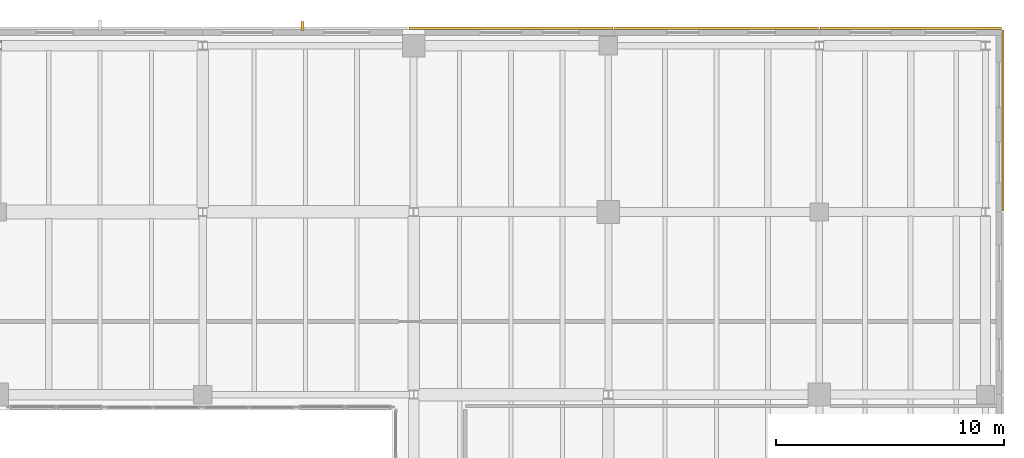
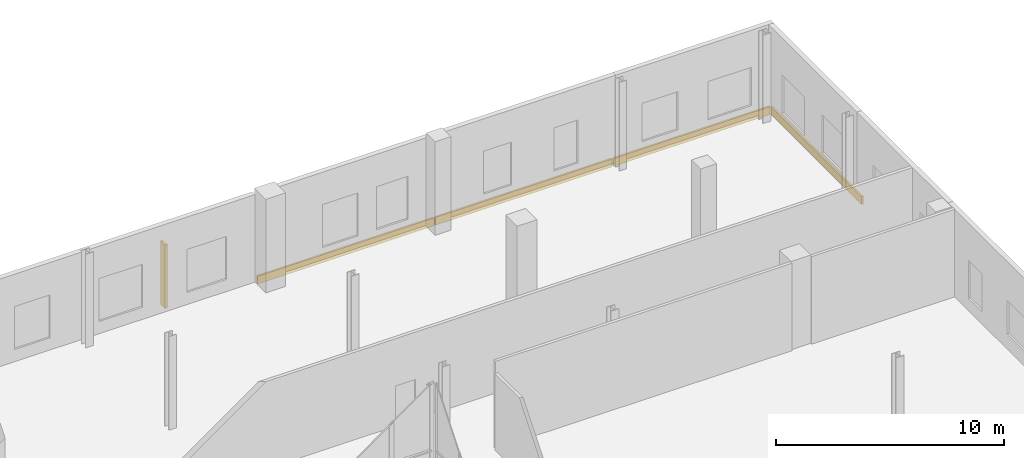
# One storey, part 81 of 81: 4 coverings, 1 shading device.
"""IFC4 building model written with IfcOpenShell, lengths in metres."""

from ifc_helpers import new_model, si_unit, direction, frame, origin, origin_2d, place, context, subcontext, project, spatial, rectangle, extrude, material, layer, layer_set, type_object, element, save


model = new_model("IFC4")

# Units and contexts
model_context = context("Model", 3, precision=1e-05, world=origin(), true_north=direction((0.0, 1.0)))
body_context = subcontext(model_context, "Body", "Model", "MODEL_VIEW")
ifc_project = project(units=[si_unit("LENGTHUNIT", "METRE"), si_unit("AREAUNIT", "SQUARE_METRE"), si_unit("VOLUMEUNIT", "CUBIC_METRE"), si_unit("PLANEANGLEUNIT", "RADIAN"), si_unit("MASSUNIT", "GRAM", prefix="KILO")], contexts=[model_context])

# Site, building, storey
site_placement = place(None, origin())
site = spatial("IfcSite", under=ifc_project, at=site_placement, CompositionType="ELEMENT")
building_placement = place(site_placement, origin())
building = spatial("IfcBuilding", under=site, at=building_placement, Name="Trimount Lyric Opera House", CompositionType="ELEMENT")
storey_placement = place(building_placement, frame((0.0, 0.0, 5.0)))
storey = spatial("IfcBuildingStorey", under=building, at=storey_placement, Name="L01", CompositionType="ELEMENT", Elevation=5.0)

# Coverings
ifc_material_1 = material(Name="Architectural Precast Concrete Spandrel Band", Category="concrete")
ifc_layer = layer(ifc_material_1, 0.094970703125)
ifc_layer_set = layer_set([ifc_layer], Name="CLD-WING1")
covering_type = type_object("IfcCoveringType", Name="CLD-WING1", PredefinedType="CLADDING", material=ifc_layer_set)
for number, where, z_axis, x_axis, name in (
    (1, (152.5, 118.04150390625, -0.369873046875), (0.0, 0.0, 1.0), (1.0, 0.0, 0.0), "L01 precast slab-edge spandrel 181"),
    (2, (161.5, 118.04150390625, -0.369873046875), (0.0, 0.0, 1.0), (1.0, 0.0, 0.0), "L01 precast slab-edge spandrel 182"),
):
    element("IfcCovering", number, at=place(storey_placement, frame(where, z_axis=z_axis, x_axis=x_axis)), inside=storey, type_object=covering_type, Name=name, PredefinedType="CLADDING", context=body_context, shape_type="SweptSolid", body=[
        extrude(rectangle(XDim=8.93994140625, YDim=0.094970703125, at=origin_2d()), origin(), (0.0, 0.0, 1.0), 0.419921875),
    ])
for number, where, z_axis, x_axis, name in (
    (3, (170.0, 118.04150390625, -0.369873046875), (0.0, 0.0, 1.0), (1.0, 0.0, 0.0), "L01 precast slab-edge spandrel 183"),
    (4, (174.04150390625, 114.0, -0.369873046875), (0.0, 0.0, 1.0), (0.0, -1.0, 0.0), "L01 precast slab-edge spandrel 184"),
):
    element("IfcCovering", number, at=place(storey_placement, frame(where, z_axis=z_axis, x_axis=x_axis)), inside=storey, type_object=covering_type, Name=name, PredefinedType="CLADDING", context=body_context, shape_type="SweptSolid", body=[
        extrude(rectangle(XDim=7.93994140625, YDim=0.094970703125, at=origin_2d()), origin(), (0.0, 0.0, 1.0), 0.419921875),
    ])

# Shading device
ifc_material_2 = material(Name="Extruded White Aluminium Sun Fin", Category="aluminium")
shading_device_type = type_object("IfcShadingDeviceType", Name="SHD-FIN2", PredefinedType="USERDEFINED", material=ifc_material_2)
shading_device_placement = place(storey_placement, frame((143.3701171875, 118.14501953125, 0.0), z_axis=(0.0, 0.0, 1.0), x_axis=(1.0, 0.0, 0.0)))
element("IfcShadingDevice", 5, at=shading_device_placement, inside=storey, type_object=shading_device_type, Name="Vertical architectural facade fin 068", ObjectType="FIN", PredefinedType="USERDEFINED", context=body_context, shape_type="SweptSolid", body=[
    extrude(rectangle(XDim=0.1201171875, YDim=0.3798828125, at=origin_2d()), origin(), (0.0, 0.0, 1.0), 3.39990234375),
])

save(model, "model.ifc")
